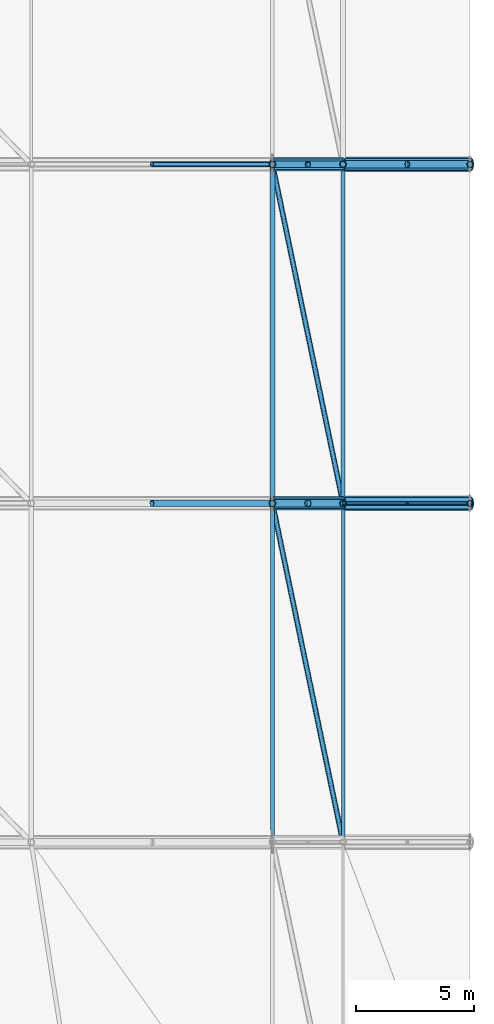
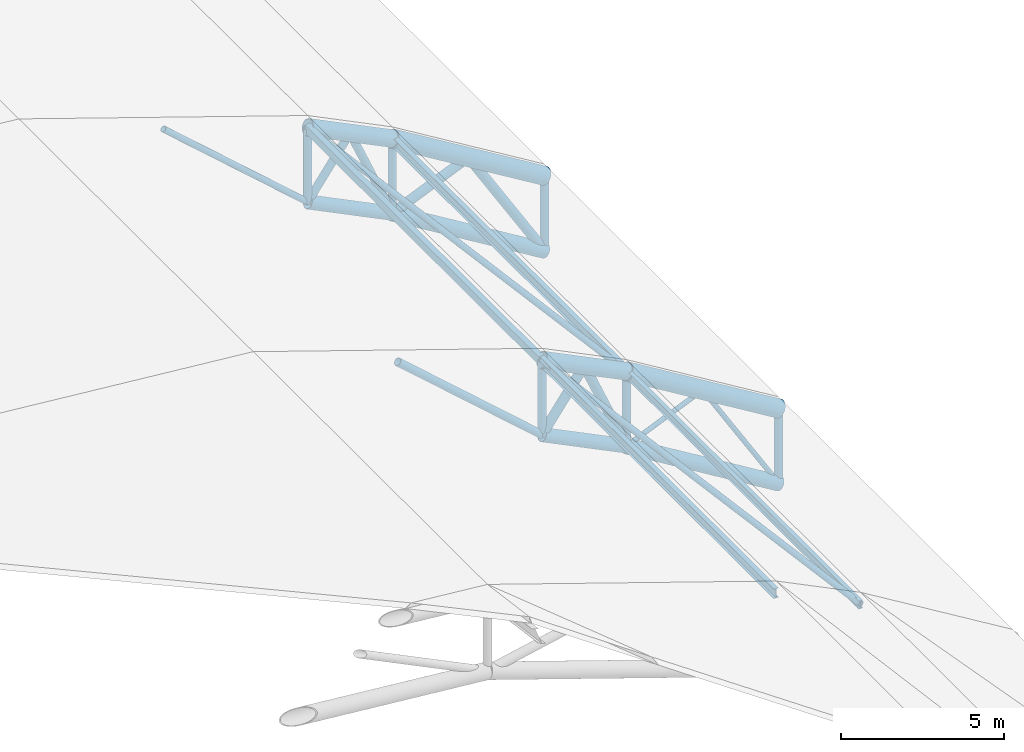
# One storey, part 19 of 36: 30 members.
"""IFC4 building model written with IfcOpenShell, lengths in metres."""

import ifcopenshell
import ifcopenshell.guid

model = None  # the IFC model being written
_history = None  # IfcOwnerHistory: only IFC2X3 demands one
_inside = {}  # id of a spatial element -> (the spatial element, [elements in it])
_under = {}  # id of a project, library or spatial element -> (it, [spatial elements below it])
_declared = {}  # id of a project -> (the project, [libraries it declares])
_typed = {}  # id of a type object -> (the type object, [elements of that type])
_made_of = {}  # id of a material, layer set ... -> (it, [elements and type objects made of it])


def new_model(schema):
    """Start an empty IFC model of exactly this schema.

    Asked for "IFC4X3", IfcOpenShell would pick the latest addendum, in which some entities
    have other attributes; the version numbers below select the first issue.
    IFC2X3 requires an IfcOwnerHistory on every rooted entity: one is made here for all.
    """
    global model, _history
    if schema == "IFC4X3":
        model = ifcopenshell.file(schema_version=(4, 3, 0, 0))
    else:
        model = ifcopenshell.file(schema=schema)
    _inside.clear()
    _under.clear()
    _declared.clear()
    _typed.clear()
    _made_of.clear()
    _history = None
    if model.schema == "IFC2X3":
        org = make("IfcOrganization", Name="unknown")
        user = make(
            "IfcPersonAndOrganization",
            ThePerson=make("IfcPerson", FamilyName="unknown"),
            TheOrganization=org,
        )
        app = make(
            "IfcApplication",
            ApplicationDeveloper=org,
            Version="unknown",
            ApplicationFullName="unknown",
            ApplicationIdentifier="unknown",
        )
        _history = make(
            "IfcOwnerHistory",
            OwningUser=user,
            OwningApplication=app,
            ChangeAction="ADDED",
            CreationDate=0,
        )
    return model


def make(cls, **values):
    """One entity of the class cls with the attributes given. An attribute that is None is left unset."""
    return model.create_entity(
        cls, **{name: value for name, value in values.items() if value is not None}
    )


def rooted(cls, **values):
    """An entity with a GlobalId (a new one), such as an element, a storey or a relation."""
    return make(cls, GlobalId=ifcopenshell.guid.new(), OwnerHistory=_history, **values)


def si_unit(unit_type, name, prefix=None):
    """IfcSIUnit, for example si_unit("LENGTHUNIT", "METRE", prefix="MILLI")."""
    return make("IfcSIUnit", UnitType=unit_type, Prefix=prefix, Name=name)


def assignment(units):
    """IfcUnitAssignment: the units of a project."""
    return None if units is None else make("IfcUnitAssignment", Units=units)


def point(xyz):
    """IfcCartesianPoint."""
    return None if xyz is None else make("IfcCartesianPoint", Coordinates=xyz)


def direction(xyz):
    """IfcDirection."""
    return None if xyz is None else make("IfcDirection", DirectionRatios=xyz)


def frame(location, z_axis=None, x_axis=None):
    """IfcAxis2Placement3D, a coordinate frame: its origin and axes. An axis left out is left unset."""
    return make(
        "IfcAxis2Placement3D",
        Location=point(location),
        Axis=direction(z_axis),
        RefDirection=direction(x_axis),
    )


def frame_2d(location, x_axis=None):
    """IfcAxis2Placement2D, a coordinate frame in the plane: its origin and x axis."""
    return make(
        "IfcAxis2Placement2D", Location=point(location), RefDirection=direction(x_axis)
    )


def origin():
    """The frame at (0, 0, 0) with its axes left unset."""
    return frame((0.0, 0.0, 0.0))


def origin_2d():
    """The frame at (0, 0) in the plane with its x axis left unset."""
    return frame_2d((0.0, 0.0))


def place(relative_to, where):
    """IfcLocalPlacement: puts the frame where relative to a parent placement (None: the world)."""
    return make(
        "IfcLocalPlacement", PlacementRelTo=relative_to, RelativePlacement=where
    )


def context(
    kind, dimensions, precision=None, world=None, true_north=None, identifier=None
):
    """IfcGeometricRepresentationContext, for example the 3D "Model" context."""
    return make(
        "IfcGeometricRepresentationContext",
        ContextIdentifier=identifier,
        ContextType=kind,
        CoordinateSpaceDimension=dimensions,
        Precision=precision,
        WorldCoordinateSystem=world,
        TrueNorth=true_north,
    )


def subcontext(parent, identifier, kind, view, scale=None):
    """IfcGeometricRepresentationSubContext, for example "Body" below "Model"."""
    return make(
        "IfcGeometricRepresentationSubContext",
        ContextIdentifier=identifier,
        ContextType=kind,
        ParentContext=parent,
        TargetScale=scale,
        TargetView=view,
    )


def project(units=None, contexts=None):
    """IfcProject with its units and contexts."""
    return rooted(
        "IfcProject",
        Name="project",
        RepresentationContexts=contexts,
        UnitsInContext=assignment(units),
    )


def spatial(cls, under=None, at=None, **own):
    """A site, building, storey or space (cls), placed at a placement, below another one or the project."""
    s = rooted(cls, ObjectPlacement=at, **own)
    if under is not None:
        _under.setdefault(under.id(), (under, []))[1].append(s)
    return s


def profile(cls, at=None, kind="AREA", **sizes):
    """A parametric profile (cls). Its sizes go by their IFC names, for example OverallWidth=200.0."""
    return make(cls, ProfileType=kind, Position=at, **sizes)


def hollow_rectangle(**sizes):
    """IfcRectangleHollowProfileDef."""
    return profile("IfcRectangleHollowProfileDef", **sizes)


def hollow_circle(**sizes):
    """IfcCircleHollowProfileDef."""
    return profile("IfcCircleHollowProfileDef", **sizes)


def i_section(**sizes):
    """IfcIShapeProfileDef."""
    return profile("IfcIShapeProfileDef", **sizes)


def extrude(swept, where, along, depth):
    """IfcExtrudedAreaSolid: the profile swept, set in the frame where, extruded along a direction by depth."""
    return make(
        "IfcExtrudedAreaSolid",
        SweptArea=swept,
        Position=where,
        ExtrudedDirection=direction(along),
        Depth=depth,
    )


def shape(context_of_items, identifier, shape_type, items):
    """IfcShapeRepresentation: the items that make up one representation, for example the "Body"."""
    return make(
        "IfcShapeRepresentation",
        ContextOfItems=context_of_items,
        RepresentationIdentifier=identifier,
        RepresentationType=shape_type,
        Items=items,
    )


def material(Name=None, Category=None):
    """IfcMaterial."""
    return make("IfcMaterial", Name=Name, Category=Category)


def material_profile(
    of_material, cross_section, Name=None, Category=None, Priority=None
):
    """IfcMaterialProfile: a cross section and its material."""
    return make(
        "IfcMaterialProfile",
        Name=Name,
        Material=of_material,
        Profile=cross_section,
        Priority=Priority,
        Category=Category,
    )


def profile_set(profiles, Name=None, composite=None):
    """IfcMaterialProfileSet."""
    return make(
        "IfcMaterialProfileSet",
        Name=Name,
        MaterialProfiles=profiles,
        CompositeProfile=composite,
    )


def made_of(thing, what):
    """Note that an element or type object is made of a material, layer set ...; save() writes the relation."""
    if what is not None:
        _made_of.setdefault(what.id(), (what, []))[1].append(thing)
    return thing


def type_object(cls, material=None, **own):
    """A type object (cls), such as IfcWallType, which elements share."""
    return made_of(rooted(cls, **own), material)


def element(
    cls,
    number,
    at=None,
    inside=None,
    cuts=None,
    type_object=None,
    material=None,
    context=None,
    identifier="Body",
    shape_type=None,
    held_by="IfcProductDefinitionShape",
    body=None,
    shapes=None,
    **own,
):
    """One element of the class cls, such as IfcWall. Its Tag is "e" and its number.

    at: its placement. inside: the storey or other place that contains it. cuts: it is an
    opening in that element (IfcRelVoidsElement). A single representation is given by context,
    identifier, shape_type and body (its items); several are given by shapes. held_by: the class
    of the entity that holds the representations. save() writes the other relations.
    """
    e = rooted(cls, Tag="e%d" % number, ObjectPlacement=at, **own)
    if body is not None:
        shapes = [shape(context, identifier, shape_type, body)]
    if shapes is not None:
        e.Representation = make(held_by, Representations=shapes)
    if inside is not None:
        _inside.setdefault(inside.id(), (inside, []))[1].append(e)
    if cuts is not None:
        rooted(
            "IfcRelVoidsElement", RelatingBuildingElement=cuts, RelatedOpeningElement=e
        )
    if type_object is not None:
        _typed.setdefault(type_object.id(), (type_object, []))[1].append(e)
    return made_of(e, material)


def aggregate(whole, parts):
    """IfcRelAggregates: a whole, such as a stair, and the parts it consists of."""
    return rooted("IfcRelAggregates", RelatingObject=whole, RelatedObjects=parts)


def save(model, path):
    """Write the relations noted so far, then the file.

    IfcRelAggregates (storeys below a building ...), IfcRelContainedInSpatialStructure (elements
    in a storey), IfcRelDefinesByType, IfcRelAssociatesMaterial and IfcRelDeclares: one each for
    every whole, place, type object, material and project.
    """
    for whole, parts in _under.values():
        aggregate(whole, parts)
    for where, things in _inside.values():
        rooted(
            "IfcRelContainedInSpatialStructure",
            RelatedElements=things,
            RelatingStructure=where,
        )
    for kind, things in _typed.values():
        rooted("IfcRelDefinesByType", RelatedObjects=things, RelatingType=kind)
    for what, things in _made_of.values():
        rooted("IfcRelAssociatesMaterial", RelatedObjects=things, RelatingMaterial=what)
    for by, libraries in _declared.values():
        rooted("IfcRelDeclares", RelatingContext=by, RelatedDefinitions=libraries)
    model.write(path)


model = new_model("IFC4")

# Units and contexts
model_context = context("Model", 3, precision=1e-05, world=origin(), true_north=direction((0.0, 1.0)))
body_context = subcontext(model_context, "Body", "Model", "MODEL_VIEW")
ifc_project = project(units=[si_unit("LENGTHUNIT", "METRE"), si_unit("AREAUNIT", "SQUARE_METRE"), si_unit("VOLUMEUNIT", "CUBIC_METRE"), si_unit("PLANEANGLEUNIT", "RADIAN"), si_unit("MASSUNIT", "GRAM", prefix="KILO")], contexts=[model_context])

# Site, building, storey
site_placement = place(None, origin())
site = spatial("IfcSite", under=ifc_project, at=site_placement, CompositionType="ELEMENT")
building_placement = place(site_placement, origin())
building = spatial("IfcBuilding", under=site, at=building_placement, Name="Koshinbarg Plaza Stadium", CompositionType="ELEMENT")
storey_placement = place(building_placement, frame((0.0, 0.0, 34.199951171875)))
storey = spatial("IfcBuildingStorey", under=building, at=storey_placement, Name="RF", CompositionType="ELEMENT", Elevation=34.199951171875)

# Members
ifc_material = material(Name="Steel S355", Category="steel")
ifc_material_profile_1 = material_profile(ifc_material, hollow_circle(Radius=0.161865234375, WallThickness=0.01416015625, at=origin_2d()), Name="CHS 323.9x14.2")
ifc_profile_set_1 = profile_set([ifc_material_profile_1], Name="Steel S355")
member_type_1 = type_object("IfcMemberType", Name="MB-BRACE-01", PredefinedType="BRACE", material=ifc_profile_set_1)
member_1_placement = place(storey_placement, frame((192.39990234375, 68.699951171875, -1.51513671875), z_axis=(-0.390373616202, 0.0, 0.920656526492), x_axis=(0.0, -1.0, 0.0)))
element("IfcMember", 1, at=member_1_placement, inside=storey, type_object=member_type_1, Name="Quarter-barrel roof truss web diagonal ERB-04-2A", PredefinedType="BRACE", context=body_context, shape_type="SweptSolid", body=[
    extrude(hollow_circle(Radius=0.161865234375, WallThickness=0.01416015625, at=origin_2d()), origin(), (0.0, 0.0, 1.0), 3.842529296875),
])
member_2_placement = place(storey_placement, frame((190.89990234375, 68.699951171875, 2.0224609375), z_axis=(-0.588171697675, 0.0, -0.808736084303), x_axis=(0.0, -1.0, 0.0)))
element("IfcMember", 2, at=member_2_placement, inside=storey, type_object=member_type_1, Name="Quarter-barrel roof truss web diagonal ERB-04-2B", PredefinedType="BRACE", context=body_context, shape_type="SweptSolid", body=[
    extrude(hollow_circle(Radius=0.161865234375, WallThickness=0.01416015625, at=origin_2d()), origin(), (0.0, 0.0, 1.0), 2.55029296875),
])
member_3_placement = place(storey_placement, frame((197.800048828125, 83.10009765625, -4.800048828125), z_axis=(-0.519370245222, 0.0, 0.854549324719), x_axis=(0.0, -1.0, 0.0)))
element("IfcMember", 3, at=member_3_placement, inside=storey, type_object=member_type_1, Name="Quarter-barrel roof truss web diagonal ERB-05-1A", PredefinedType="BRACE", context=body_context, shape_type="SweptSolid", body=[
    extrude(hollow_circle(Radius=0.161865234375, WallThickness=0.01416015625, at=origin_2d()), origin(), (0.0, 0.0, 1.0), 5.198486328125),
])
member_4_placement = place(storey_placement, frame((195.10009765625, 83.10009765625, -0.357666015625), z_axis=(-0.919114938458, 0.0, -0.393989504813), x_axis=(0.0, -1.0, 0.0)))
element("IfcMember", 4, at=member_4_placement, inside=storey, type_object=member_type_1, Name="Quarter-barrel roof truss web diagonal ERB-05-1B", PredefinedType="BRACE", context=body_context, shape_type="SweptSolid", body=[
    extrude(hollow_circle(Radius=0.161865234375, WallThickness=0.01416015625, at=origin_2d()), origin(), (0.0, 0.0, 1.0), 2.937744140625),
])
ifc_material_profile_2 = material_profile(ifc_material, hollow_circle(Radius=0.136474609375, WallThickness=0.012451171875, at=origin_2d()), Name="CHS 273x12.5")
ifc_profile_set_2 = profile_set([ifc_material_profile_2], Name="Steel S355")
member_type_2 = type_object("IfcMemberType", Name="MB-BRACE-02", PredefinedType="BRACE", material=ifc_profile_set_2)
member_5_placement = place(storey_placement, frame((189.39990234375, 68.699951171875, -0.0400390625), z_axis=(-0.749161416462, 0.0, 0.662387478811), x_axis=(0.0, -1.0, 0.0)))
element("IfcMember", 5, at=member_5_placement, inside=storey, type_object=member_type_2, Name="Quarter-barrel roof truss web diagonal ERB-04-3A", PredefinedType="BRACE", context=body_context, shape_type="SweptSolid", body=[
    extrude(hollow_circle(Radius=0.136474609375, WallThickness=0.012451171875, at=origin_2d()), origin(), (0.0, 0.0, 1.0), 6.839599609375),
])
for number, where, z_axis, x_axis, name in (
    (6, (197.800048828125, 68.699951171875, -4.800048828125), (0.0, 0.0, 1.0), (1.0, 0.0, 0.0), "Quarter-barrel roof truss post ERB-04-1"),
    (7, (192.39990234375, 68.699951171875, -1.51513671875), (0.0, 0.0, 1.0), (1.0, 0.0, 0.0), "Quarter-barrel roof truss post ERB-04-2"),
    (8, (189.39990234375, 68.699951171875, -0.0400390625), (0.0, 0.0, 1.0), (1.0, 0.0, 0.0), "Quarter-barrel roof truss post ERB-04-3"),
):
    element("IfcMember", number, at=place(storey_placement, frame(where, z_axis=z_axis, x_axis=x_axis)), inside=storey, type_object=member_type_2, Name=name, PredefinedType="BRACE", context=body_context, shape_type="SweptSolid", body=[
        extrude(hollow_circle(Radius=0.136474609375, WallThickness=0.012451171875, at=origin_2d()), origin(), (0.0, 0.0, 1.0), 2.800048828125),
    ])
member_6_placement = place(storey_placement, frame((192.39990234375, 83.10009765625, -1.51513671875), z_axis=(-0.390373616202, 0.0, 0.920656526492), x_axis=(0.0, -1.0, 0.0)))
element("IfcMember", 9, at=member_6_placement, inside=storey, type_object=member_type_2, Name="Quarter-barrel roof truss web diagonal ERB-05-2A", PredefinedType="BRACE", context=body_context, shape_type="SweptSolid", body=[
    extrude(hollow_circle(Radius=0.136474609375, WallThickness=0.012451171875, at=origin_2d()), origin(), (0.0, 0.0, 1.0), 3.842529296875),
])
member_7_placement = place(storey_placement, frame((190.89990234375, 83.10009765625, 2.0224609375), z_axis=(-0.588171697675, 0.0, -0.808736084303), x_axis=(0.0, -1.0, 0.0)))
element("IfcMember", 10, at=member_7_placement, inside=storey, type_object=member_type_2, Name="Quarter-barrel roof truss web diagonal ERB-05-2B", PredefinedType="BRACE", context=body_context, shape_type="SweptSolid", body=[
    extrude(hollow_circle(Radius=0.136474609375, WallThickness=0.012451171875, at=origin_2d()), origin(), (0.0, 0.0, 1.0), 2.55029296875),
])
for number, where, z_axis, x_axis, name in (
    (11, (197.800048828125, 83.10009765625, -4.800048828125), (0.0, 0.0, 1.0), (1.0, 0.0, 0.0), "Quarter-barrel roof truss post ERB-05-1"),
    (12, (192.39990234375, 83.10009765625, -1.51513671875), (0.0, 0.0, 1.0), (1.0, 0.0, 0.0), "Quarter-barrel roof truss post ERB-05-2"),
    (13, (189.39990234375, 83.10009765625, -0.0400390625), (0.0, 0.0, 1.0), (1.0, 0.0, 0.0), "Quarter-barrel roof truss post ERB-05-3"),
):
    element("IfcMember", number, at=place(storey_placement, frame(where, z_axis=z_axis, x_axis=x_axis)), inside=storey, type_object=member_type_2, Name=name, PredefinedType="BRACE", context=body_context, shape_type="SweptSolid", body=[
        extrude(hollow_circle(Radius=0.136474609375, WallThickness=0.012451171875, at=origin_2d()), origin(), (0.0, 0.0, 1.0), 2.800048828125),
    ])
ifc_material_profile_3 = material_profile(ifc_material, hollow_circle(Radius=0.109619140625, WallThickness=0.010009765625, at=origin_2d()), Name="CHS 219.1x10")
ifc_profile_set_3 = profile_set([ifc_material_profile_3], Name="Steel S355")
member_type_3 = type_object("IfcMemberType", Name="MB-BRACE-03", PredefinedType="BRACE", material=ifc_profile_set_3)
member_8_placement = place(storey_placement, frame((189.39990234375, 83.10009765625, -0.0400390625), z_axis=(-0.749161416462, 0.0, 0.662387478811), x_axis=(0.0, -1.0, 0.0)))
element("IfcMember", 14, at=member_8_placement, inside=storey, type_object=member_type_3, Name="Quarter-barrel roof truss web diagonal ERB-05-3A", PredefinedType="BRACE", context=body_context, shape_type="SweptSolid", body=[
    extrude(hollow_circle(Radius=0.109619140625, WallThickness=0.010009765625, at=origin_2d()), origin(), (0.0, 0.0, 1.0), 6.839599609375),
])
member_9_placement = place(storey_placement, frame((192.39990234375, 54.300048828125, 1.284912109375), z_axis=(-0.202937656498, 0.974094145148, 0.099784287155), x_axis=(-0.978980143565, -0.203955579738, 0.0)))
element("IfcMember", 15, at=member_9_placement, inside=storey, type_object=member_type_3, Name="Roof plan wind brace east bay 3.2", PredefinedType="BRACE", context=body_context, shape_type="SweptSolid", body=[
    extrude(hollow_circle(Radius=0.109619140625, WallThickness=0.010009765625, at=origin_2d()), origin(), (0.0, 0.0, 1.0), 14.782958984375),
])
member_10_placement = place(storey_placement, frame((192.39990234375, 68.699951171875, 1.284912109375), z_axis=(-0.202934391836, 0.97409498972, 0.099782681923), x_axis=(-0.978980833987, -0.203952265704, 0.0)))
element("IfcMember", 16, at=member_10_placement, inside=storey, type_object=member_type_3, Name="Roof plan wind brace east bay 4.2", PredefinedType="BRACE", context=body_context, shape_type="SweptSolid", body=[
    extrude(hollow_circle(Radius=0.109619140625, WallThickness=0.010009765625, at=origin_2d()), origin(), (0.0, 0.0, 1.0), 14.783203125),
])
ifc_material_profile_4 = material_profile(ifc_material, hollow_circle(Radius=0.084228515625, WallThickness=0.008056640625, at=origin_2d()), Name="CHS 168.3x8")
ifc_profile_set_4 = profile_set([ifc_material_profile_4], Name="Steel S355")
member_type_4 = type_object("IfcMemberType", Name="MB-BRACE-04", PredefinedType="BRACE", material=ifc_profile_set_4)
member_11_placement = place(storey_placement, frame((197.800048828125, 68.699951171875, -4.800048828125), z_axis=(-0.519370245222, 0.0, 0.854549324719), x_axis=(0.0, -1.0, 0.0)))
element("IfcMember", 17, at=member_11_placement, inside=storey, type_object=member_type_4, Name="Quarter-barrel roof truss web diagonal ERB-04-1A", PredefinedType="BRACE", context=body_context, shape_type="SweptSolid", body=[
    extrude(hollow_circle(Radius=0.084228515625, WallThickness=0.008056640625, at=origin_2d()), origin(), (0.0, 0.0, 1.0), 5.198486328125),
])
member_12_placement = place(storey_placement, frame((195.10009765625, 68.699951171875, -0.357666015625), z_axis=(-0.919114938458, 0.0, -0.393989504813), x_axis=(0.0, -1.0, 0.0)))
element("IfcMember", 18, at=member_12_placement, inside=storey, type_object=member_type_4, Name="Quarter-barrel roof truss web diagonal ERB-04-1B", PredefinedType="BRACE", context=body_context, shape_type="SweptSolid", body=[
    extrude(hollow_circle(Radius=0.084228515625, WallThickness=0.008056640625, at=origin_2d()), origin(), (0.0, 0.0, 1.0), 2.937744140625),
])
ifc_material_profile_5 = material_profile(ifc_material, hollow_circle(Radius=0.304931640625, WallThickness=0.02490234375, at=origin_2d()), Name="CHS 610x25")
ifc_profile_set_5 = profile_set([ifc_material_profile_5], Name="Steel S355")
member_type_5 = type_object("IfcMemberType", Name="MB-CHORD-01", PredefinedType="CHORD", material=ifc_profile_set_5)
for number, where, z_axis, x_axis, name in (
    (19, (197.800048828125, 68.699951171875, -2.0), (-0.854348438745, 0.0, 0.519700630377), (0.0, -1.0, 0.0), "Quarter-barrel roof truss top chord ERB-04-1"),
    (20, (197.800048828125, 83.10009765625, -2.0), (-0.854348438745, 0.0, 0.519700630377), (0.0, -1.0, 0.0), "Quarter-barrel roof truss top chord ERB-05-1"),
):
    element("IfcMember", number, at=place(storey_placement, frame(where, z_axis=z_axis, x_axis=x_axis)), inside=storey, type_object=member_type_5, Name=name, PredefinedType="CHORD", context=body_context, shape_type="SweptSolid", body=[
        extrude(hollow_circle(Radius=0.304931640625, WallThickness=0.02490234375, at=origin_2d()), origin(), (0.0, 0.0, 1.0), 6.32080078125),
    ])
ifc_material_profile_6 = material_profile(ifc_material, hollow_circle(Radius=0.279541015625, WallThickness=0.022216796875, at=origin_2d()), Name="CHS 559x22.2")
ifc_profile_set_6 = profile_set([ifc_material_profile_6], Name="Steel S355")
member_type_6 = type_object("IfcMemberType", Name="MB-CHORD-02", PredefinedType="CHORD", material=ifc_profile_set_6)
for number, where, z_axis, x_axis, name in (
    (21, (192.39990234375, 68.699951171875, 1.284912109375), (-0.897386943952, 0.0, 0.441244459257), (0.0, -1.0, 0.0), "Quarter-barrel roof truss top chord ERB-04-2"),
    (22, (192.39990234375, 83.10009765625, 1.284912109375), (-0.897386943952, 0.0, 0.441244459257), (0.0, -1.0, 0.0), "Quarter-barrel roof truss top chord ERB-05-2"),
):
    element("IfcMember", number, at=place(storey_placement, frame(where, z_axis=z_axis, x_axis=x_axis)), inside=storey, type_object=member_type_6, Name=name, PredefinedType="CHORD", context=body_context, shape_type="SweptSolid", body=[
        extrude(hollow_circle(Radius=0.279541015625, WallThickness=0.022216796875, at=origin_2d()), origin(), (0.0, 0.0, 1.0), 3.343017578125),
    ])
ifc_material_profile_7 = material_profile(ifc_material, hollow_circle(Radius=0.25390625, WallThickness=0.02001953125, at=origin_2d()), Name="CHS 508x20")
ifc_profile_set_7 = profile_set([ifc_material_profile_7], Name="Steel S355")
member_type_7 = type_object("IfcMemberType", Name="MB-CHORD-03", PredefinedType="CHORD", material=ifc_profile_set_7)
for number, where, z_axis, x_axis, name in (
    (23, (197.800048828125, 68.699951171875, -4.800048828125), (-0.854348438745, 0.0, 0.519700630377), (0.0, -1.0, 0.0), "Quarter-barrel roof truss bottom chord ERB-04-1"),
    (24, (197.800048828125, 83.10009765625, -4.800048828125), (-0.854348438745, 0.0, 0.519700630377), (0.0, -1.0, 0.0), "Quarter-barrel roof truss bottom chord ERB-05-1"),
):
    element("IfcMember", number, at=place(storey_placement, frame(where, z_axis=z_axis, x_axis=x_axis)), inside=storey, type_object=member_type_7, Name=name, PredefinedType="CHORD", context=body_context, shape_type="SweptSolid", body=[
        extrude(hollow_circle(Radius=0.25390625, WallThickness=0.02001953125, at=origin_2d()), origin(), (0.0, 0.0, 1.0), 6.32080078125),
    ])
ifc_material_profile_8 = material_profile(ifc_material, hollow_circle(Radius=0.228515625, WallThickness=0.02001953125, at=origin_2d()), Name="CHS 457x20")
ifc_profile_set_8 = profile_set([ifc_material_profile_8], Name="Steel S355")
member_type_8 = type_object("IfcMemberType", Name="MB-CHORD-04", PredefinedType="CHORD", material=ifc_profile_set_8)
for number, where, z_axis, x_axis, name in (
    (25, (192.39990234375, 68.699951171875, -1.51513671875), (-0.897386943952, 0.0, 0.441244459257), (0.0, -1.0, 0.0), "Quarter-barrel roof truss bottom chord ERB-04-2"),
    (26, (192.39990234375, 83.10009765625, -1.51513671875), (-0.897386943952, 0.0, 0.441244459257), (0.0, -1.0, 0.0), "Quarter-barrel roof truss bottom chord ERB-05-2"),
):
    element("IfcMember", number, at=place(storey_placement, frame(where, z_axis=z_axis, x_axis=x_axis)), inside=storey, type_object=member_type_8, Name=name, PredefinedType="CHORD", context=body_context, shape_type="SweptSolid", body=[
        extrude(hollow_circle(Radius=0.228515625, WallThickness=0.02001953125, at=origin_2d()), origin(), (0.0, 0.0, 1.0), 3.343017578125),
    ])
ifc_material_profile_9 = material_profile(ifc_material, hollow_rectangle(XDim=0.199951171875, YDim=0.300048828125, WallThickness=0.012451171875, at=origin_2d()), Name="RHS 300x200x12.5")
ifc_profile_set_9 = profile_set([ifc_material_profile_9], Name="Steel S355")
member_type_9 = type_object("IfcMemberType", Name="MB-PURL-01", PredefinedType="PURLIN", material=ifc_profile_set_9)
member_13_placement = place(storey_placement, frame((189.39990234375, 68.699951171875, 2.739990234375), z_axis=(0.0, 1.0, 0.0), x_axis=(-1.0, 0.0, 0.0)))
element("IfcMember", 27, at=member_13_placement, inside=storey, type_object=member_type_9, Name="Roof longitudinal purlin east bay 4.3", PredefinedType="PURLIN", context=body_context, shape_type="SweptSolid", body=[
    extrude(hollow_rectangle(XDim=0.199951171875, YDim=0.300048828125, WallThickness=0.012451171875, at=origin_2d()), origin(), (0.0, 0.0, 1.0), 14.400146484375),
])
ifc_material_profile_10 = material_profile(ifc_material, i_section(OverallWidth=0.14990234375, OverallDepth=0.300048828125, WebThickness=0.007080078125, FlangeThickness=0.0107421875, at=origin_2d()), Name="IPE 300")
ifc_profile_set_10 = profile_set([ifc_material_profile_10], Name="Steel S355")
member_type_10 = type_object("IfcMemberType", Name="MB-PURL-04", PredefinedType="PURLIN", material=ifc_profile_set_10)
member_14_placement = place(storey_placement, frame((192.39990234375, 54.300048828125, 1.264892578125), z_axis=(0.0, 1.0, 0.0), x_axis=(-1.0, 0.0, 0.0)))
element("IfcMember", 28, at=member_14_placement, inside=storey, type_object=member_type_10, Name="Roof longitudinal purlin east bay 3.2", PredefinedType="PURLIN", context=body_context, shape_type="SweptSolid", body=[
    extrude(i_section(OverallWidth=0.14990234375, OverallDepth=0.300048828125, WebThickness=0.007080078125, FlangeThickness=0.0107421875, at=origin_2d()), origin(), (0.0, 0.0, 1.0), 14.39990234375),
])
ifc_material_profile_11 = material_profile(ifc_material, i_section(OverallWidth=0.169921875, OverallDepth=0.360107421875, WebThickness=0.008056640625, FlangeThickness=0.0126953125, at=origin_2d()), Name="IPE 360")
ifc_profile_set_11 = profile_set([ifc_material_profile_11], Name="Steel S355")
member_type_11 = type_object("IfcMemberType", Name="MB-PURL-05", PredefinedType="PURLIN", material=ifc_profile_set_11)
member_15_placement = place(storey_placement, frame((189.39990234375, 54.300048828125, 2.739990234375), z_axis=(0.0, 1.0, 0.0), x_axis=(-1.0, 0.0, 0.0)))
element("IfcMember", 29, at=member_15_placement, inside=storey, type_object=member_type_11, Name="Roof longitudinal purlin east bay 3.3", PredefinedType="PURLIN", context=body_context, shape_type="SweptSolid", body=[
    extrude(i_section(OverallWidth=0.169921875, OverallDepth=0.360107421875, WebThickness=0.008056640625, FlangeThickness=0.0126953125, at=origin_2d()), origin(), (0.0, 0.0, 1.0), 14.39990234375),
])
member_16_placement = place(storey_placement, frame((192.39990234375, 68.699951171875, 1.264892578125), z_axis=(0.0, 1.0, 0.0), x_axis=(-1.0, 0.0, 0.0)))
element("IfcMember", 30, at=member_16_placement, inside=storey, type_object=member_type_11, Name="Roof longitudinal purlin east bay 4.2", PredefinedType="PURLIN", context=body_context, shape_type="SweptSolid", body=[
    extrude(i_section(OverallWidth=0.169921875, OverallDepth=0.360107421875, WebThickness=0.008056640625, FlangeThickness=0.0126953125, at=origin_2d()), origin(), (0.0, 0.0, 1.0), 14.400146484375),
])

save(model, "model.ifc")
